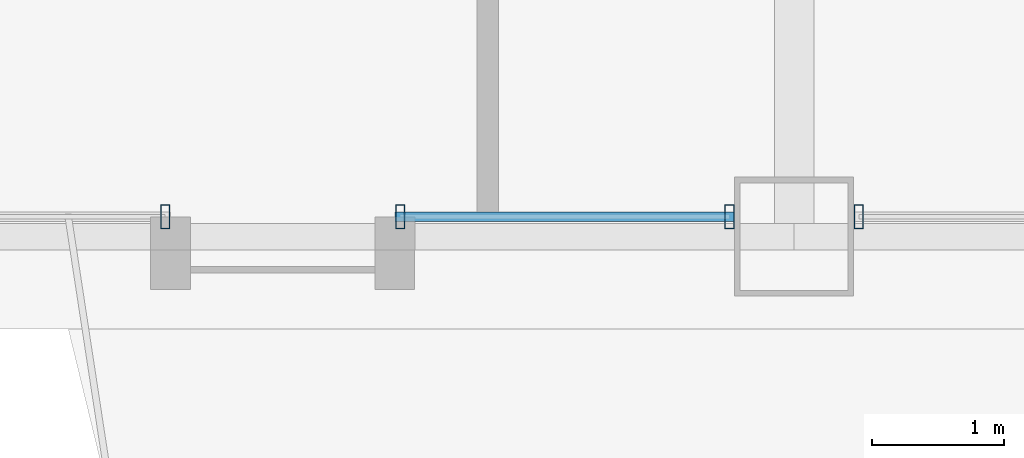
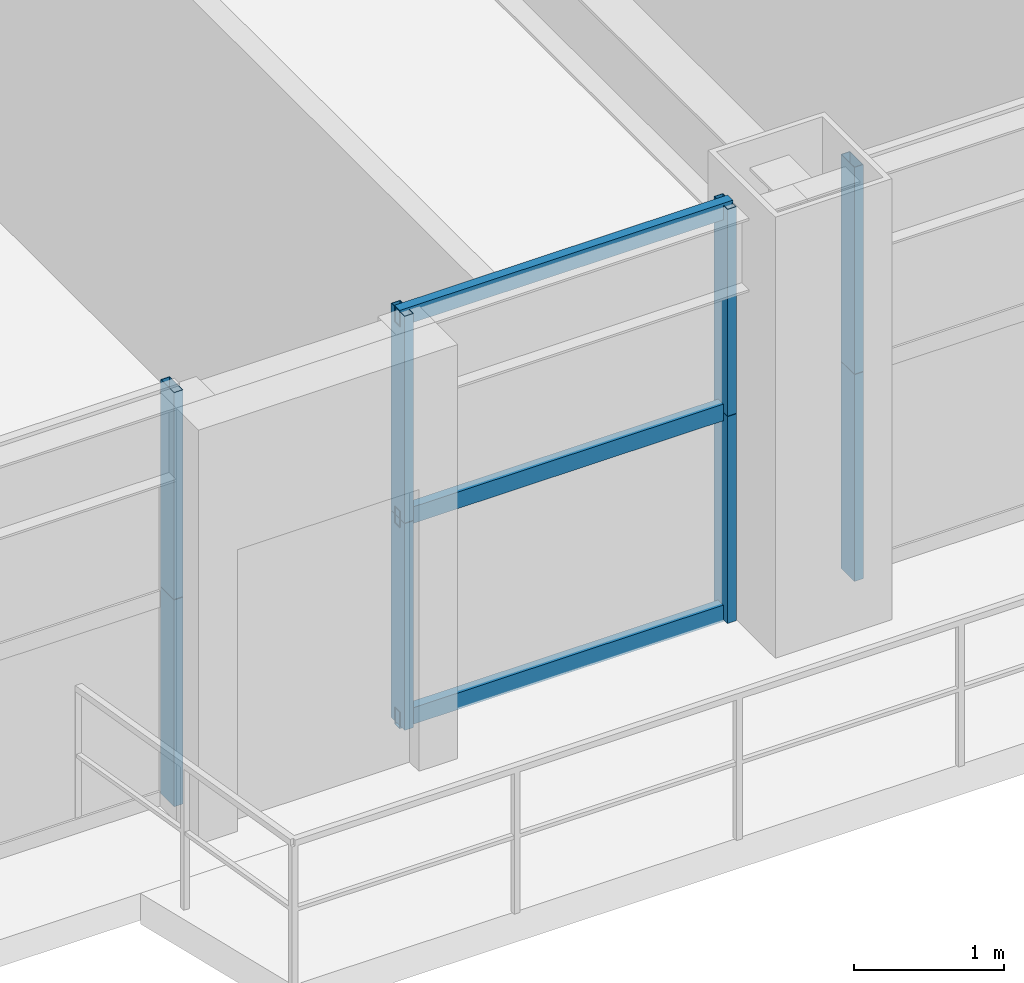
# One storey, part 8 of 43: 11 members, 3 elements without a shape of their own.
"""IFC4 building model written with IfcOpenShell, lengths in metres."""

from ifc_helpers import new_model, si_unit, direction, frame, origin, origin_2d, place, context, subcontext, project, spatial, hollow_rectangle, extrude, source, transform, mapped, material, layer, layer_set, material_profile, profile_set, type_object, element, aggregate, save


model = new_model("IFC4")

# Units and contexts
model_context = context("Model", 3, precision=1e-05, world=origin(), true_north=direction((0.0, 1.0)))
body_context = subcontext(model_context, "Body", "Model", "MODEL_VIEW")
ifc_project = project(units=[si_unit("LENGTHUNIT", "METRE"), si_unit("AREAUNIT", "SQUARE_METRE"), si_unit("VOLUMEUNIT", "CUBIC_METRE"), si_unit("PLANEANGLEUNIT", "RADIAN"), si_unit("MASSUNIT", "GRAM", prefix="KILO"), si_unit("THERMODYNAMICTEMPERATUREUNIT", "KELVIN"), si_unit("POWERUNIT", "WATT")], contexts=[model_context])

# Site, building, storey
site_placement = place(None, origin())
site = spatial("IfcSite", under=ifc_project, at=site_placement, CompositionType="ELEMENT")
building_placement = place(site_placement, origin())
building = spatial("IfcBuilding", under=site, at=building_placement, Name="Yuzanri Waterfront Tower", CompositionType="ELEMENT")
storey_placement = place(building_placement, frame((0.0, 0.0, 159.60009765625)))
storey = spatial("IfcBuildingStorey", under=building, at=storey_placement, Name="L42", CompositionType="ELEMENT", Elevation=159.60009765625)

# Curtain wall, members
ifc_material_1 = material(Name="Anodized Architectural Bronze", Category="metal")
ifc_layer = layer(ifc_material_1, 0.159912109375)
ifc_layer_set = layer_set([ifc_layer], Name="Anodized Architectural Bronze")
curtain_wall_type = type_object("IfcCurtainWallType", Name="Anodized Bronze Hotel Upper-Tier Solar-Control Unitized Curtain Wall 7800", PredefinedType="NOTDEFINED", material=ifc_layer_set)
curtain_wall_1_placement = place(storey_placement, origin())
curtain_wall_1 = element("IfcCurtainWall", 1, at=curtain_wall_1_placement, inside=storey, type_object=curtain_wall_type, Name="L42 Curtain Wall CW-L42-SL1", PredefinedType="NOTDEFINED")
ifc_material_2 = material(Name="Anodized Architectural Bronze", Category="metal")
ifc_material_profile_1 = material_profile(ifc_material_2, hollow_rectangle(XDim=0.070068359375, YDim=0.179931640625, WallThickness=0.00390625, at=origin_2d()), Name="CWM 70x180")
ifc_profile_set_1 = profile_set([ifc_material_profile_1], Name="Anodized Architectural Bronze")
member_type_1 = type_object("IfcMemberType", Name="Anodized Bronze Standard Curtain-Wall Mullion 70x180", PredefinedType="MULLION", material=ifc_profile_set_1)
shared_shape_1 = source(origin(), body_context, "Body", "SweptSolid", [
    extrude(hollow_rectangle(XDim=0.070068359375, YDim=0.179931640625, WallThickness=0.00390625, at=origin_2d()), origin(), (0.0, 0.0, 1.0), 1.68798828125),
])
member_1_placement = place(storey_placement, frame((32.237060546875, 2.35009765625, 0.0), z_axis=(0.0, 0.0, 1.0), x_axis=(1.0, 0.0, 0.0)))
member_1 = element("IfcMember", 2, at=member_1_placement, type_object=member_type_1, Name="CW-L42-SL1 Lower Mullion 01", PredefinedType="MULLION", context=body_context, shape_type="MappedRepresentation", body=[
    mapped(shared_shape_1, transform((0.0, 0.0, 0.0), scale=1.0)),
])
member_2_placement = place(storey_placement, frame((32.237060546875, 2.35009765625, 1.69189453125), z_axis=(0.0, 0.0, 1.0), x_axis=(1.0, 0.0, 0.0)))
member_2 = element("IfcMember", 3, at=member_2_placement, type_object=member_type_1, Name="CW-L42-SL1 Upper Mullion 01", PredefinedType="MULLION", context=body_context, shape_type="MappedRepresentation", body=[
    mapped(shared_shape_1, transform((0.0, 0.0, 0.0), scale=1.0)),
])
aggregate(curtain_wall_1, [member_1, member_2])

curtain_wall_2_placement = place(storey_placement, origin())
curtain_wall_2 = element("IfcCurtainWall", 4, at=curtain_wall_2_placement, inside=storey, type_object=curtain_wall_type, Name="L42 Curtain Wall CW-L42-SL2", PredefinedType="NOTDEFINED")
member_3_placement = place(storey_placement, frame((34.01708984375, 2.35009765625, 0.0), z_axis=(0.0, 0.0, 1.0), x_axis=(1.0, 0.0, 0.0)))
member_3 = element("IfcMember", 5, at=member_3_placement, type_object=member_type_1, Name="CW-L42-SL2 Lower Mullion 00", PredefinedType="MULLION", context=body_context, shape_type="MappedRepresentation", body=[
    mapped(shared_shape_1, transform((0.0, 0.0, 0.0), scale=1.0)),
])
member_4_placement = place(storey_placement, frame((34.01708984375, 2.35009765625, 1.69189453125), z_axis=(0.0, 0.0, 1.0), x_axis=(1.0, 0.0, 0.0)))
member_4 = element("IfcMember", 6, at=member_4_placement, type_object=member_type_1, Name="CW-L42-SL2 Upper Mullion 00", PredefinedType="MULLION", context=body_context, shape_type="MappedRepresentation", body=[
    mapped(shared_shape_1, transform((0.0, 0.0, 0.0), scale=1.0)),
])
member_5_placement = place(storey_placement, frame((36.510009765625, 2.35009765625, 0.0), z_axis=(0.0, 0.0, 1.0), x_axis=(1.0, 0.0, 0.0)))
member_5 = element("IfcMember", 7, at=member_5_placement, type_object=member_type_1, Name="CW-L42-SL2 Lower Mullion 01", PredefinedType="MULLION", context=body_context, shape_type="MappedRepresentation", body=[
    mapped(shared_shape_1, transform((0.0, 0.0, 0.0), scale=1.0)),
])
member_6_placement = place(storey_placement, frame((36.510009765625, 2.35009765625, 1.69189453125), z_axis=(0.0, 0.0, 1.0), x_axis=(1.0, 0.0, 0.0)))
member_6 = element("IfcMember", 8, at=member_6_placement, type_object=member_type_1, Name="CW-L42-SL2 Upper Mullion 01", PredefinedType="MULLION", context=body_context, shape_type="MappedRepresentation", body=[
    mapped(shared_shape_1, transform((0.0, 0.0, 0.0), scale=1.0)),
])

curtain_wall_3_placement = place(storey_placement, origin())
curtain_wall_3 = element("IfcCurtainWall", 9, at=curtain_wall_3_placement, inside=storey, type_object=curtain_wall_type, Name="L42 Curtain Wall CW-L42-SR", PredefinedType="NOTDEFINED")
member_7_placement = place(storey_placement, frame((37.489990234375, 2.35009765625, 0.0), z_axis=(0.0, 0.0, 1.0), x_axis=(1.0, 0.0, 0.0)))
member_7 = element("IfcMember", 10, at=member_7_placement, type_object=member_type_1, Name="CW-L42-SR Lower Mullion 00", PredefinedType="MULLION", context=body_context, shape_type="MappedRepresentation", body=[
    mapped(shared_shape_1, transform((0.0, 0.0, 0.0), scale=1.0)),
])
member_8_placement = place(storey_placement, frame((37.489990234375, 2.35009765625, 1.69189453125), z_axis=(0.0, 0.0, 1.0), x_axis=(1.0, 0.0, 0.0)))
member_8 = element("IfcMember", 11, at=member_8_placement, type_object=member_type_1, Name="CW-L42-SR Upper Mullion 00", PredefinedType="MULLION", context=body_context, shape_type="MappedRepresentation", body=[
    mapped(shared_shape_1, transform((0.0, 0.0, 0.0), scale=1.0)),
])
aggregate(curtain_wall_3, [member_7, member_8])

# Member
ifc_material_3 = material(Name="Anodized Architectural Bronze", Category="metal")
ifc_material_profile_2 = material_profile(ifc_material_3, hollow_rectangle(XDim=0.070068359375, YDim=0.135009765625, WallThickness=0.00341796875, at=origin_2d()), Name="CWT 70x135")
ifc_profile_set_2 = profile_set([ifc_material_profile_2], Name="Anodized Architectural Bronze")
member_type_2 = type_object("IfcMemberType", Name="Anodized Bronze Standard Curtain-Wall Transom 70x135", PredefinedType="USERDEFINED", material=ifc_profile_set_2)
shared_shape_2 = source(origin(), body_context, "Body", "SweptSolid", [
    extrude(hollow_rectangle(XDim=0.070068359375, YDim=0.135009765625, WallThickness=0.00341796875, at=origin_2d()), origin(), (0.0, 0.0, 1.0), 2.572998046875),
])
member_9_placement = place(storey_placement, frame((33.97705078125, 2.35009765625, 0.0498046875), z_axis=(1.0, 0.0, 0.0), x_axis=(0.0, 1.0, 0.0)))
member_9 = element("IfcMember", 12, at=member_9_placement, type_object=member_type_2, Name="CW-L42-SL2 Transom 1", ObjectType="TRANSOM", PredefinedType="USERDEFINED", context=body_context, shape_type="MappedRepresentation", body=[
    mapped(shared_shape_2, transform((0.0, 0.0, 0.0), scale=1.0)),
])

member_10_placement = place(storey_placement, frame((33.97705078125, 2.35009765625, 1.68994140625), z_axis=(1.0, 0.0, 0.0), x_axis=(0.0, 1.0, 0.0)))
member_10 = element("IfcMember", 13, at=member_10_placement, type_object=member_type_2, Name="CW-L42-SL2 Transom 2", ObjectType="TRANSOM", PredefinedType="USERDEFINED", context=body_context, shape_type="MappedRepresentation", body=[
    mapped(shared_shape_2, transform((0.0, 0.0, 0.0), scale=1.0)),
])

member_11_placement = place(storey_placement, frame((33.97705078125, 2.35009765625, 3.329833984375), z_axis=(1.0, 0.0, 0.0), x_axis=(0.0, 1.0, 0.0)))
member_11 = element("IfcMember", 14, at=member_11_placement, type_object=member_type_2, Name="CW-L42-SL2 Transom 3", ObjectType="TRANSOM", PredefinedType="USERDEFINED", context=body_context, shape_type="MappedRepresentation", body=[
    mapped(shared_shape_2, transform((0.0, 0.0, 0.0), scale=1.0)),
])

aggregate(curtain_wall_2, [member_3, member_4, member_5, member_6, member_9, member_10, member_11])

save(model, "model.ifc")
